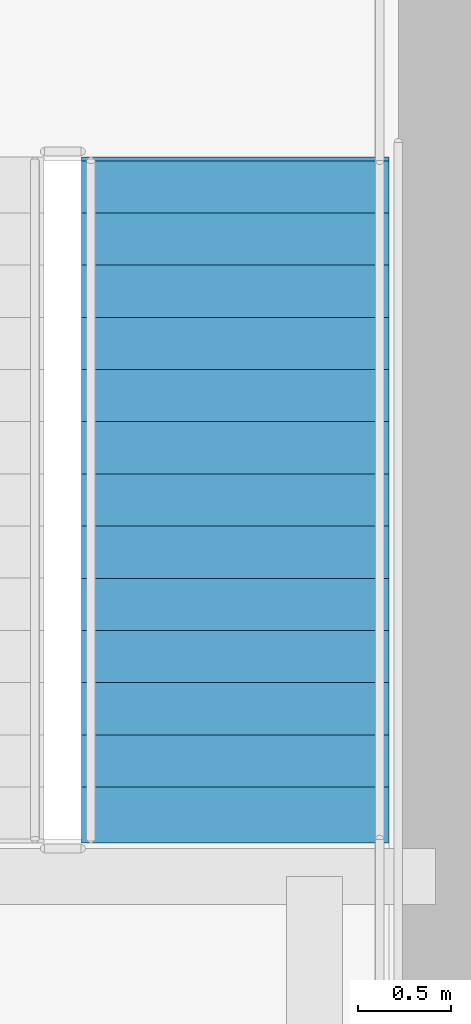
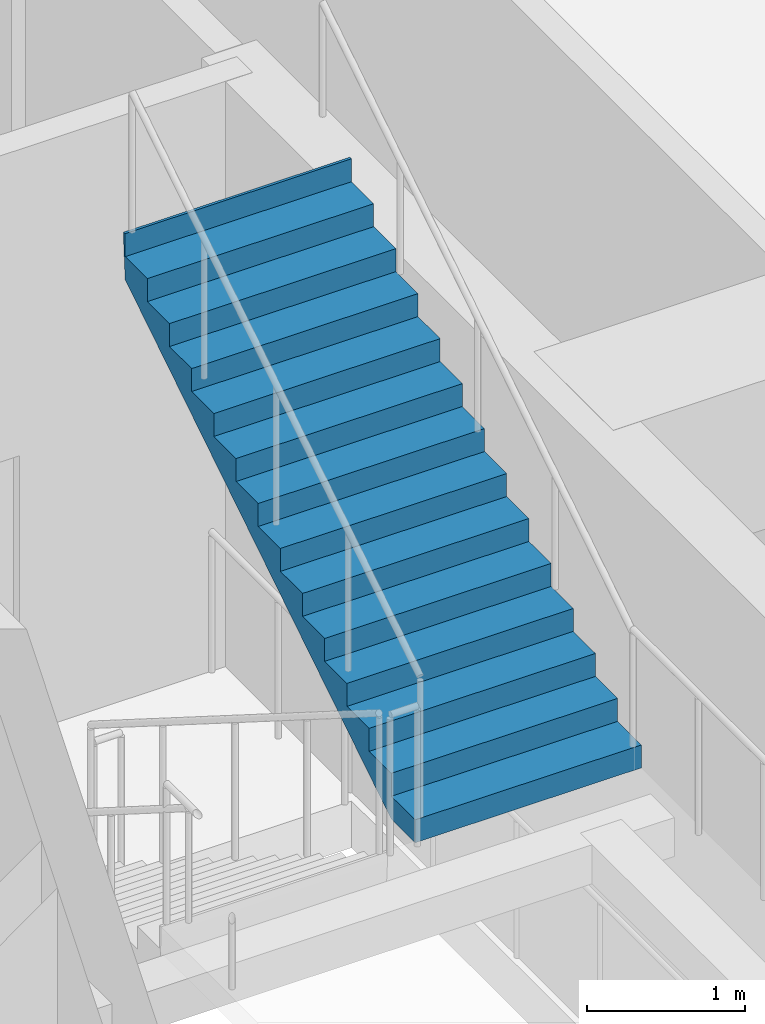
# One storey, part 32 of 35: 1 stair flight, 1 element without a shape of its own.
"""IFC4 building model written with IfcOpenShell, lengths in metres."""

from ifc_helpers import new_model, si_unit, direction, frame, origin, place, context, subcontext, project, spatial, polygons, material, type_object, element, aggregate, save


model = new_model("IFC4")

# Units and contexts
model_context = context("Model", 3, precision=1e-05, world=origin(), true_north=direction((0.0, 1.0)))
body_context = subcontext(model_context, "Body", "Model", "MODEL_VIEW")
ifc_project = project(units=[si_unit("LENGTHUNIT", "METRE"), si_unit("AREAUNIT", "SQUARE_METRE"), si_unit("VOLUMEUNIT", "CUBIC_METRE"), si_unit("PLANEANGLEUNIT", "RADIAN"), si_unit("MASSUNIT", "GRAM", prefix="KILO")], contexts=[model_context])

# Site, building, storey
site_placement = place(None, origin())
site = spatial("IfcSite", under=ifc_project, at=site_placement, CompositionType="ELEMENT")
building_placement = place(site_placement, origin())
building = spatial("IfcBuilding", under=site, at=building_placement, Name="Serunith Strait Residences", CompositionType="ELEMENT")
storey_placement = place(building_placement, frame((0.0, 0.0, 115.199951171875)))
storey = spatial("IfcBuildingStorey", under=building, at=storey_placement, Name="L28", CompositionType="ELEMENT", Elevation=115.199951171875)

# Stair, stair flight
ifc_material = material(Name="Concrete C50/60", Category="concrete")
stair_type = type_object("IfcStairType", Name="STR-CORE-2", PredefinedType="HALF_TURN_STAIR", material=ifc_material)
stair_placement = place(storey_placement, origin())
stair = element("IfcStair", 1, at=stair_placement, inside=storey, type_object=stair_type, Name="L28 Protected Escape Stair ST-2", PredefinedType="HALF_TURN_STAIR")
stair_flight_type = type_object("IfcStairFlightType", Name="FLT-CORE-2", PredefinedType="STRAIGHT", material=ifc_material)
stair_flight_placement = place(storey_placement, frame((40.324951171875, 19.72998046875, 2.47509765625), z_axis=(0.0, 0.0, 1.0), x_axis=(0.0, 1.0, 0.0)))
stair_flight = element("IfcStairFlight", 2, at=stair_flight_placement, type_object=stair_flight_type, Name="ST-2 flight 2", NumberOfRisers=14, NumberOfTreads=13, PredefinedType="STRAIGHT", RiserHeight=0.176785714, TreadLength=0.28, context=body_context, shape_type="Tessellation", body=[
    polygons([(-0.02001953125, -0.824951171875, 0.0), (-0.02001953125, -0.824951171875, 0.1767578125), (0.280029296875, -0.824951171875, 0.1767578125), (0.280029296875, -0.824951171875, 0.353515625), (0.56005859375, -0.824951171875, 0.353515625), (0.56005859375, -0.824951171875, 0.5302734375), (0.840087890625, -0.824951171875, 0.5302734375), (0.840087890625, -0.824951171875, 0.70703125), (1.1201171875, -0.824951171875, 0.70703125), (1.1201171875, -0.824951171875, 0.884033203125), (1.39990234375, -0.824951171875, 0.884033203125), (1.39990234375, -0.824951171875, 1.060791015625), (1.679931640625, -0.824951171875, 1.060791015625), (1.679931640625, -0.824951171875, 1.237548828125), (1.9599609375, -0.824951171875, 1.237548828125), (1.9599609375, -0.824951171875, 1.414306640625), (2.239990234375, -0.824951171875, 1.414306640625), (2.239990234375, -0.824951171875, 1.591064453125), (2.52001953125, -0.824951171875, 1.591064453125), (2.52001953125, -0.824951171875, 1.767822265625), (2.800048828125, -0.824951171875, 1.767822265625), (2.800048828125, -0.824951171875, 1.944580078125), (3.080078125, -0.824951171875, 1.944580078125), (3.080078125, -0.824951171875, 2.121337890625), (3.360107421875, -0.824951171875, 2.121337890625), (3.360107421875, -0.824951171875, 2.298095703125), (3.639892578125, -0.824951171875, 2.298095703125), (3.639892578125, -0.824951171875, 2.47509765625), (3.659912109375, -0.824951171875, 2.47509765625), (3.659912109375, -0.824951171875, 2.4150390625), (3.639892578125, -0.824951171875, 2.120849609375), (0.28076171875, -0.824951171875, 0.0), (-0.02001953125, -0.41259765625, 0.0), (-0.02001953125, -0.41259765625, 0.1767578125), (0.280029296875, -0.41259765625, 0.1767578125), (0.280029296875, -0.41259765625, 0.353515625), (0.56005859375, -0.41259765625, 0.353515625), (0.56005859375, -0.41259765625, 0.5302734375), (0.840087890625, -0.41259765625, 0.5302734375), (0.840087890625, -0.41259765625, 0.70703125), (1.1201171875, -0.41259765625, 0.70703125), (1.1201171875, -0.41259765625, 0.884033203125), (1.39990234375, -0.41259765625, 0.884033203125), (1.39990234375, -0.41259765625, 1.060791015625), (1.679931640625, -0.41259765625, 1.060791015625), (1.679931640625, -0.41259765625, 1.237548828125), (1.9599609375, -0.41259765625, 1.237548828125), (1.9599609375, -0.41259765625, 1.414306640625), (2.239990234375, -0.41259765625, 1.414306640625), (2.239990234375, -0.41259765625, 1.591064453125), (2.52001953125, -0.41259765625, 1.591064453125), (2.52001953125, -0.41259765625, 1.767822265625), (2.800048828125, -0.41259765625, 1.767822265625), (2.800048828125, -0.41259765625, 1.944580078125), (3.080078125, -0.41259765625, 1.944580078125), (3.080078125, -0.41259765625, 2.121337890625), (3.360107421875, -0.41259765625, 2.121337890625), (3.360107421875, -0.41259765625, 2.298095703125), (3.639892578125, -0.41259765625, 2.298095703125), (3.639892578125, -0.41259765625, 2.47509765625), (3.659912109375, -0.41259765625, 2.47509765625), (3.659912109375, -0.41259765625, 2.4150390625), (3.639892578125, -0.41259765625, 2.120849609375), (0.28076171875, -0.41259765625, 0.0), (-0.02001953125, 0.0, 0.0), (-0.02001953125, 0.0, 0.1767578125), (0.280029296875, 0.0, 0.1767578125), (0.280029296875, 0.0, 0.353515625), (0.56005859375, 0.0, 0.353515625), (0.56005859375, 0.0, 0.5302734375), (0.840087890625, 0.0, 0.5302734375), (0.840087890625, 0.0, 0.70703125), (1.1201171875, 0.0, 0.70703125), (1.1201171875, 0.0, 0.884033203125), (1.39990234375, 0.0, 0.884033203125), (1.39990234375, 0.0, 1.060791015625), (1.679931640625, 0.0, 1.060791015625), (1.679931640625, 0.0, 1.237548828125), (1.9599609375, 0.0, 1.237548828125), (1.9599609375, 0.0, 1.414306640625), (2.239990234375, 0.0, 1.414306640625), (2.239990234375, 0.0, 1.591064453125), (2.52001953125, 0.0, 1.591064453125), (2.52001953125, 0.0, 1.767822265625), (2.800048828125, 0.0, 1.767822265625), (2.800048828125, 0.0, 1.944580078125), (3.080078125, 0.0, 1.944580078125), (3.080078125, 0.0, 2.121337890625), (3.360107421875, 0.0, 2.121337890625), (3.360107421875, 0.0, 2.298095703125), (3.639892578125, 0.0, 2.298095703125), (3.639892578125, 0.0, 2.47509765625), (3.659912109375, 0.0, 2.47509765625), (3.659912109375, 0.0, 2.4150390625), (3.639892578125, 0.0, 2.120849609375), (0.28076171875, 0.0, 0.0), (-0.02001953125, 0.41259765625, 0.0), (-0.02001953125, 0.41259765625, 0.1767578125), (0.280029296875, 0.41259765625, 0.1767578125), (0.280029296875, 0.41259765625, 0.353515625), (0.56005859375, 0.41259765625, 0.353515625), (0.56005859375, 0.41259765625, 0.5302734375), (0.840087890625, 0.41259765625, 0.5302734375), (0.840087890625, 0.41259765625, 0.70703125), (1.1201171875, 0.41259765625, 0.70703125), (1.1201171875, 0.41259765625, 0.884033203125), (1.39990234375, 0.41259765625, 0.884033203125), (1.39990234375, 0.41259765625, 1.060791015625), (1.679931640625, 0.41259765625, 1.060791015625), (1.679931640625, 0.41259765625, 1.237548828125), (1.9599609375, 0.41259765625, 1.237548828125), (1.9599609375, 0.41259765625, 1.414306640625), (2.239990234375, 0.41259765625, 1.414306640625), (2.239990234375, 0.41259765625, 1.591064453125), (2.52001953125, 0.41259765625, 1.591064453125), (2.52001953125, 0.41259765625, 1.767822265625), (2.800048828125, 0.41259765625, 1.767822265625), (2.800048828125, 0.41259765625, 1.944580078125), (3.080078125, 0.41259765625, 1.944580078125), (3.080078125, 0.41259765625, 2.121337890625), (3.360107421875, 0.41259765625, 2.121337890625), (3.360107421875, 0.41259765625, 2.298095703125), (3.639892578125, 0.41259765625, 2.298095703125), (3.639892578125, 0.41259765625, 2.47509765625), (3.659912109375, 0.41259765625, 2.47509765625), (3.659912109375, 0.41259765625, 2.4150390625), (3.639892578125, 0.41259765625, 2.120849609375), (0.28076171875, 0.41259765625, 0.0), (-0.02001953125, 0.824951171875, 0.0), (-0.02001953125, 0.824951171875, 0.1767578125), (0.280029296875, 0.824951171875, 0.1767578125), (0.280029296875, 0.824951171875, 0.353515625), (0.56005859375, 0.824951171875, 0.353515625), (0.56005859375, 0.824951171875, 0.5302734375), (0.840087890625, 0.824951171875, 0.5302734375), (0.840087890625, 0.824951171875, 0.70703125), (1.1201171875, 0.824951171875, 0.70703125), (1.1201171875, 0.824951171875, 0.884033203125), (1.39990234375, 0.824951171875, 0.884033203125), (1.39990234375, 0.824951171875, 1.060791015625), (1.679931640625, 0.824951171875, 1.060791015625), (1.679931640625, 0.824951171875, 1.237548828125), (1.9599609375, 0.824951171875, 1.237548828125), (1.9599609375, 0.824951171875, 1.414306640625), (2.239990234375, 0.824951171875, 1.414306640625), (2.239990234375, 0.824951171875, 1.591064453125), (2.52001953125, 0.824951171875, 1.591064453125), (2.52001953125, 0.824951171875, 1.767822265625), (2.800048828125, 0.824951171875, 1.767822265625), (2.800048828125, 0.824951171875, 1.944580078125), (3.080078125, 0.824951171875, 1.944580078125), (3.080078125, 0.824951171875, 2.121337890625), (3.360107421875, 0.824951171875, 2.121337890625), (3.360107421875, 0.824951171875, 2.298095703125), (3.639892578125, 0.824951171875, 2.298095703125), (3.639892578125, 0.824951171875, 2.47509765625), (3.659912109375, 0.824951171875, 2.47509765625), (3.659912109375, 0.824951171875, 2.4150390625), (3.639892578125, 0.824951171875, 2.120849609375), (0.28076171875, 0.824951171875, 0.0)], [[[1, 2, 34, 33]], [[2, 3, 35, 34]], [[3, 4, 36, 35]], [[4, 5, 37, 36]], [[5, 6, 38, 37]], [[6, 7, 39, 38]], [[7, 8, 40, 39]], [[8, 9, 41, 40]], [[9, 10, 42, 41]], [[10, 11, 43, 42]], [[11, 12, 44, 43]], [[12, 13, 45, 44]], [[13, 14, 46, 45]], [[14, 15, 47, 46]], [[15, 16, 48, 47]], [[16, 17, 49, 48]], [[17, 18, 50, 49]], [[18, 19, 51, 50]], [[19, 20, 52, 51]], [[20, 21, 53, 52]], [[21, 22, 54, 53]], [[22, 23, 55, 54]], [[23, 24, 56, 55]], [[24, 25, 57, 56]], [[25, 26, 58, 57]], [[26, 27, 59, 58]], [[27, 28, 60, 59]], [[28, 29, 61, 60]], [[29, 30, 62, 61]], [[30, 31, 63, 62]], [[31, 32, 64, 63]], [[32, 1, 33, 64]], [[33, 34, 66, 65]], [[34, 35, 67, 66]], [[35, 36, 68, 67]], [[36, 37, 69, 68]], [[37, 38, 70, 69]], [[38, 39, 71, 70]], [[39, 40, 72, 71]], [[40, 41, 73, 72]], [[41, 42, 74, 73]], [[42, 43, 75, 74]], [[43, 44, 76, 75]], [[44, 45, 77, 76]], [[45, 46, 78, 77]], [[46, 47, 79, 78]], [[47, 48, 80, 79]], [[48, 49, 81, 80]], [[49, 50, 82, 81]], [[50, 51, 83, 82]], [[51, 52, 84, 83]], [[52, 53, 85, 84]], [[53, 54, 86, 85]], [[54, 55, 87, 86]], [[55, 56, 88, 87]], [[56, 57, 89, 88]], [[57, 58, 90, 89]], [[58, 59, 91, 90]], [[59, 60, 92, 91]], [[60, 61, 93, 92]], [[61, 62, 94, 93]], [[62, 63, 95, 94]], [[63, 64, 96, 95]], [[64, 33, 65, 96]], [[65, 66, 98, 97]], [[66, 67, 99, 98]], [[67, 68, 100, 99]], [[68, 69, 101, 100]], [[69, 70, 102, 101]], [[70, 71, 103, 102]], [[71, 72, 104, 103]], [[72, 73, 105, 104]], [[73, 74, 106, 105]], [[74, 75, 107, 106]], [[75, 76, 108, 107]], [[76, 77, 109, 108]], [[77, 78, 110, 109]], [[78, 79, 111, 110]], [[79, 80, 112, 111]], [[80, 81, 113, 112]], [[81, 82, 114, 113]], [[82, 83, 115, 114]], [[83, 84, 116, 115]], [[84, 85, 117, 116]], [[85, 86, 118, 117]], [[86, 87, 119, 118]], [[87, 88, 120, 119]], [[88, 89, 121, 120]], [[89, 90, 122, 121]], [[90, 91, 123, 122]], [[91, 92, 124, 123]], [[92, 93, 125, 124]], [[93, 94, 126, 125]], [[94, 95, 127, 126]], [[95, 96, 128, 127]], [[96, 65, 97, 128]], [[97, 98, 130, 129]], [[98, 99, 131, 130]], [[99, 100, 132, 131]], [[100, 101, 133, 132]], [[101, 102, 134, 133]], [[102, 103, 135, 134]], [[103, 104, 136, 135]], [[104, 105, 137, 136]], [[105, 106, 138, 137]], [[106, 107, 139, 138]], [[107, 108, 140, 139]], [[108, 109, 141, 140]], [[109, 110, 142, 141]], [[110, 111, 143, 142]], [[111, 112, 144, 143]], [[112, 113, 145, 144]], [[113, 114, 146, 145]], [[114, 115, 147, 146]], [[115, 116, 148, 147]], [[116, 117, 149, 148]], [[117, 118, 150, 149]], [[118, 119, 151, 150]], [[119, 120, 152, 151]], [[120, 121, 153, 152]], [[121, 122, 154, 153]], [[122, 123, 155, 154]], [[123, 124, 156, 155]], [[124, 125, 157, 156]], [[125, 126, 158, 157]], [[126, 127, 159, 158]], [[127, 128, 160, 159]], [[128, 97, 129, 160]], [[32, 31, 30, 29, 28, 27, 26, 25, 24, 23, 22, 21, 20, 19, 18, 17, 16, 15, 14, 13, 12, 11, 10, 9, 8, 7, 6, 5, 4, 3, 2, 1]], [[129, 130, 131, 132, 133, 134, 135, 136, 137, 138, 139, 140, 141, 142, 143, 144, 145, 146, 147, 148, 149, 150, 151, 152, 153, 154, 155, 156, 157, 158, 159, 160]]], closed=True),
])
aggregate(stair, [stair_flight])

save(model, "model.ifc")
